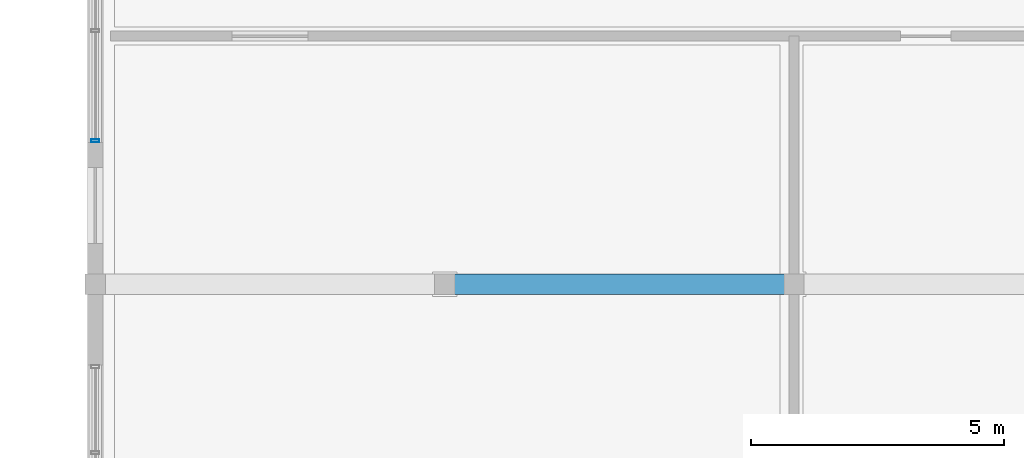
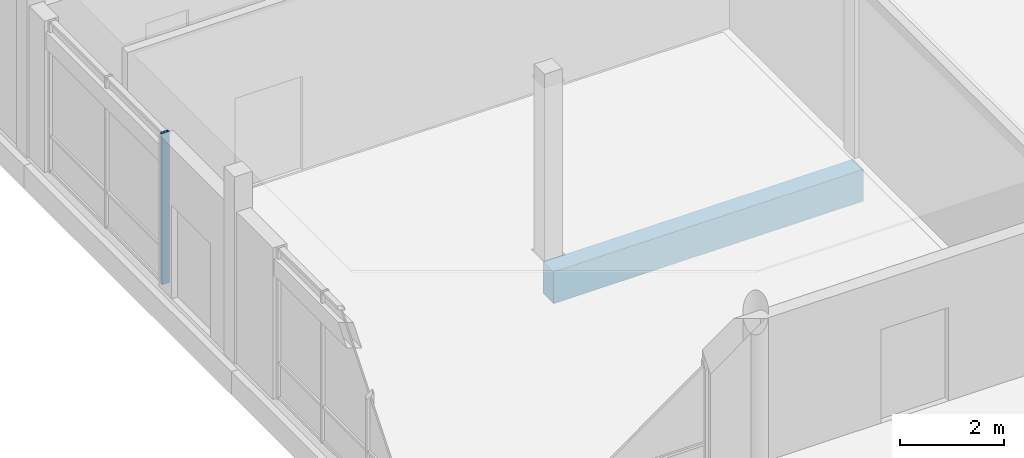
# One storey, part 84 of 233: 1 beam, 1 member, 1 element without a shape of its own.
"""IFC4 building model written with IfcOpenShell, lengths in metres."""

from ifc_helpers import new_model, si_unit, direction, frame, origin, origin_2d, place, context, subcontext, project, spatial, rectangle, hollow_rectangle, extrude, material, material_profile, profile_set, type_object, element, aggregate, save


model = new_model("IFC4")

# Units and contexts
model_context = context("Model", 3, precision=1e-05, world=origin(), true_north=direction((0.0, 1.0)))
body_context = subcontext(model_context, "Body", "Model", "MODEL_VIEW")
ifc_project = project(units=[si_unit("LENGTHUNIT", "METRE"), si_unit("AREAUNIT", "SQUARE_METRE"), si_unit("VOLUMEUNIT", "CUBIC_METRE"), si_unit("PLANEANGLEUNIT", "RADIAN"), si_unit("MASSUNIT", "GRAM", prefix="KILO")], contexts=[model_context])

# Site, building, storey
site_placement = place(None, origin())
site = spatial("IfcSite", under=ifc_project, at=site_placement, CompositionType="ELEMENT")
building_placement = place(site_placement, origin())
building = spatial("IfcBuilding", under=site, at=building_placement, Name="Zavelmont Quarter", CompositionType="ELEMENT")
storey_placement = place(building_placement, origin())
storey = spatial("IfcBuildingStorey", under=building, at=storey_placement, Name="L00", CompositionType="ELEMENT", Elevation=0.0)

# Beam
ifc_material_1 = material(Name="Concrete C40/50", Category="concrete")
ifc_material_profile_1 = material_profile(ifc_material_1, rectangle(XDim=0.39990234375, YDim=0.75, at=origin_2d()), Name="RC400X750")
ifc_profile_set_1 = profile_set([ifc_material_profile_1], Name="Concrete C40/50")
beam_type = type_object("IfcBeamType", Name="BM05", PredefinedType="BEAM", material=ifc_profile_set_1)
beam_placement = place(storey_placement, frame((6.89990234375, 70.0, -0.695068359375), z_axis=(1.0, 0.0, 0.0), x_axis=(0.0, 1.0, 0.0)))
element("IfcBeam", 1, at=beam_placement, inside=storey, type_object=beam_type, Name="L00 beam BM05 2/L to 3/L", PredefinedType="BEAM", context=body_context, shape_type="SweptSolid", body=[
    extrude(rectangle(XDim=0.39990234375, YDim=0.75, at=origin_2d()), origin(), (0.0, 0.0, 1.0), 6.900146484375),
])

# Curtain wall, member
ifc_material_2 = material(Name="Thermally broken aluminium and double low-E safety glazing", Category="aluminium")
curtain_wall_type = type_object("IfcCurtainWallType", Name="CW-440X356", PredefinedType="NOTDEFINED", material=ifc_material_2)
curtain_wall_placement = place(storey_placement, origin())
curtain_wall = element("IfcCurtainWall", 2, at=curtain_wall_placement, inside=storey, type_object=curtain_wall_type, Name="L00 unitised curtain wall CW-440X356", PredefinedType="NOTDEFINED")
ifc_material_3 = material(Name="Powder-coated aluminium EN AW-6063-T6", Category="aluminium")
ifc_material_profile_2 = material_profile(ifc_material_3, hollow_rectangle(XDim=0.06005859375, YDim=0.159912109375, WallThickness=0.00390625, at=origin_2d()), Name="CWM60X160")
ifc_profile_set_2 = profile_set([ifc_material_profile_2], Name="Powder-coated aluminium EN AW-6063-T6")
member_type = type_object("IfcMemberType", Name="CWM01", PredefinedType="MULLION", material=ifc_profile_set_2)
member_placement = place(storey_placement, frame((0.0, 72.830078125, 0.0), z_axis=(0.0, 0.0, 1.0), x_axis=(0.0, 1.0, 0.0)))
member = element("IfcMember", 3, at=member_placement, type_object=member_type, Name="CW-440X356 mullion 1", PredefinedType="MULLION", context=body_context, shape_type="SweptSolid", body=[
    extrude(hollow_rectangle(XDim=0.06005859375, YDim=0.159912109375, WallThickness=0.00390625, at=origin_2d()), origin(), (0.0, 0.0, 1.0), 3.56005859375),
])
aggregate(curtain_wall, [member])

save(model, "model.ifc")
